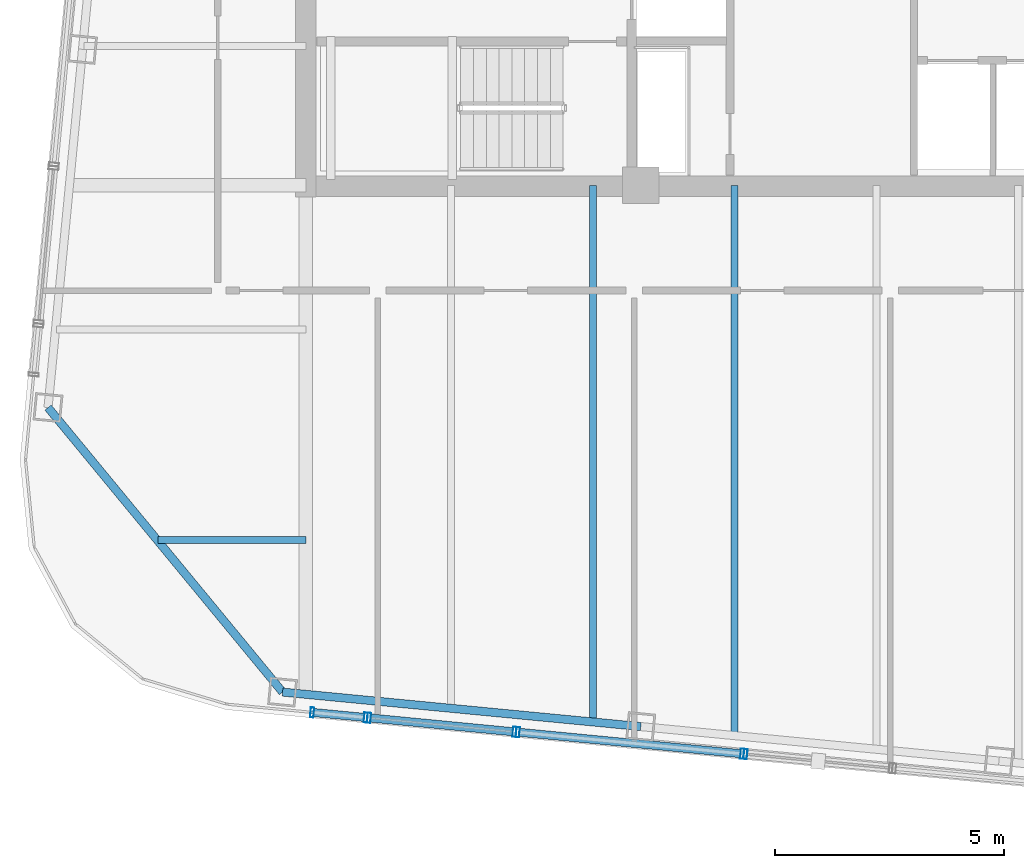
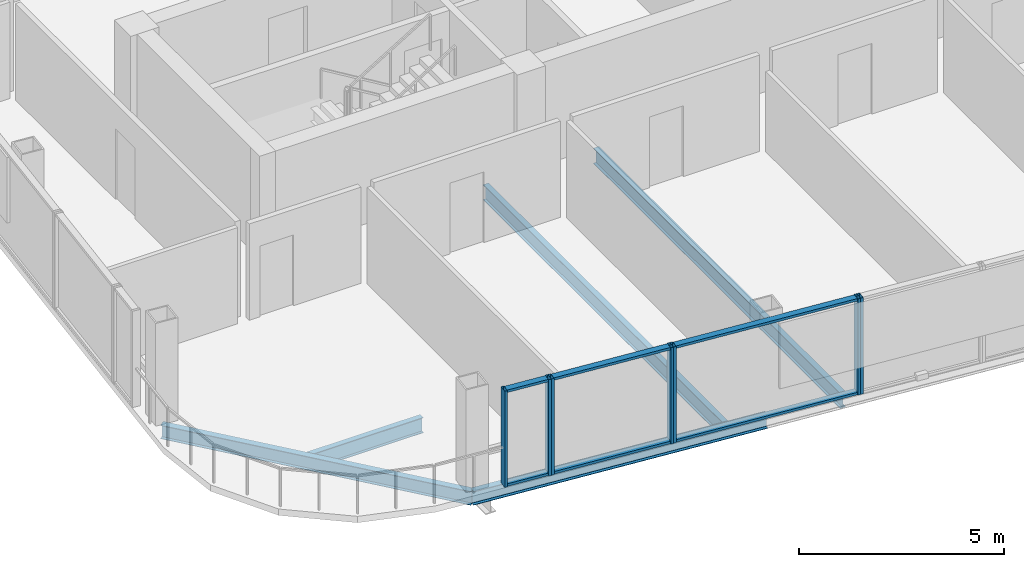
# One storey, part 2 of 27: 13 members, 5 beams, 4 elements without a shape of their own.
"""IFC4 building model written with IfcOpenShell, lengths in metres."""

from ifc_helpers import new_model, si_unit, direction, frame, origin, origin_2d, place, context, subcontext, project, spatial, hollow_rectangle, i_section, extrude, material, layer, layer_set, material_profile, profile_set, type_object, element, aggregate, save


model = new_model("IFC4")

# Units and contexts
model_context = context("Model", 3, precision=1e-05, world=origin(), true_north=direction((0.0, 1.0)))
body_context = subcontext(model_context, "Body", "Model", "MODEL_VIEW")
ifc_project = project(units=[si_unit("LENGTHUNIT", "METRE"), si_unit("AREAUNIT", "SQUARE_METRE"), si_unit("VOLUMEUNIT", "CUBIC_METRE"), si_unit("PLANEANGLEUNIT", "RADIAN"), si_unit("MASSUNIT", "GRAM", prefix="KILO")], contexts=[model_context])

# Site, building, storey
site_placement = place(None, origin())
site = spatial("IfcSite", under=ifc_project, at=site_placement, CompositionType="ELEMENT")
building_placement = place(site_placement, origin())
building = spatial("IfcBuilding", under=site, at=building_placement, Name="Qhalaya Broadcast Tower", CompositionType="ELEMENT")
storey_placement = place(building_placement, frame((0.0, 0.0, 258.10009765625)))
storey = spatial("IfcBuildingStorey", under=building, at=storey_placement, Name="L76", CompositionType="ELEMENT", Elevation=258.10009765625)

# Beams
ifc_material_1 = material(Name="Structural Steel ASTM A992 Grade 50", Category="steel")
ifc_material_profile_1 = material_profile(ifc_material_1, i_section(OverallWidth=0.154052734375, OverallDepth=0.458984375, WebThickness=0.009033203125, FlangeThickness=0.015380859375, at=origin_2d()), Name="W18X46")
ifc_profile_set_1 = profile_set([ifc_material_profile_1], Name="Structural Steel ASTM A992 Grade 50")
beam_type_1 = type_object("IfcBeamType", Name="Composite Floor Joist J04", PredefinedType="JOIST", material=ifc_profile_set_1)
beam_1_placement = place(storey_placement, frame((-3.10009765625, -20.46142578125, -0.419677734375), z_axis=(0.0, 1.0, 0.0), x_axis=(-1.0, 0.0, 0.0)))
element("IfcBeam", 1, at=beam_1_placement, inside=storey, type_object=beam_type_1, Name="L76 J04 L76-JNS2-1", PredefinedType="JOIST", context=body_context, shape_type="SweptSolid", body=[
    extrude(i_section(OverallWidth=0.154052734375, OverallDepth=0.458984375, WebThickness=0.009033203125, FlangeThickness=0.015380859375, at=origin_2d()), origin(), (0.0, 0.0, 1.0), 11.71142578125),
])
beam_2_placement = place(storey_placement, frame((0.0, -20.760009765625, -0.419677734375), z_axis=(0.0, 1.0, 0.0), x_axis=(-1.0, 0.0, 0.0)))
element("IfcBeam", 2, at=beam_2_placement, inside=storey, type_object=beam_type_1, Name="L76 J04 L76-JNS3-1", PredefinedType="JOIST", context=body_context, shape_type="SweptSolid", body=[
    extrude(i_section(OverallWidth=0.154052734375, OverallDepth=0.458984375, WebThickness=0.009033203125, FlangeThickness=0.015380859375, at=origin_2d()), origin(), (0.0, 0.0, 1.0), 12.010009765625),
])
beam_3_placement = place(storey_placement, frame((-12.600830078125, -16.5, -0.419677734375), z_axis=(1.0, 0.0, 0.0), x_axis=(0.0, 1.0, 0.0)))
element("IfcBeam", 3, at=beam_3_placement, inside=storey, type_object=beam_type_1, Name="L76 J04 L76-JWE1W-1", PredefinedType="JOIST", context=body_context, shape_type="SweptSolid", body=[
    extrude(i_section(OverallWidth=0.154052734375, OverallDepth=0.458984375, WebThickness=0.009033203125, FlangeThickness=0.015380859375, at=origin_2d()), origin(), (0.0, 0.0, 1.0), 3.225830078125),
])

# Curtain wall, members
ifc_material_2 = material(Name="Fired Architectural Terracotta", Category="masonry")
ifc_layer_1 = layer(ifc_material_2, 0.219970703125, Name="Fired Architectural Terracotta")
ifc_layer_set_1 = layer_set([ifc_layer_1], Name="Fired Architectural Terracotta")
curtain_wall_type_1 = type_object("IfcCurtainWallType", Name="Block-Cap Unitised Terracotta Spandrel Wall CW-07", PredefinedType="NOTDEFINED", material=ifc_layer_set_1)
curtain_wall_1_placement = place(storey_placement, origin())
curtain_wall_1 = element("IfcCurtainWall", 4, at=curtain_wall_1_placement, inside=storey, type_object=curtain_wall_type_1, Name="L76 Unitised Curtain Wall L76-CW-S1", PredefinedType="NOTDEFINED")
ifc_material_3 = material(Name="Anodised Aluminium 6063-T6", Category="aluminium")
ifc_material_profile_2 = material_profile(ifc_material_3, hollow_rectangle(XDim=0.074951171875, YDim=0.219970703125, WallThickness=0.00390625, at=origin_2d()), Name="ALU-MUL 75x220x4")
ifc_profile_set_2 = profile_set([ifc_material_profile_2], Name="Anodised Aluminium 6063-T6")
member_type_1 = type_object("IfcMemberType", Name="Unitised Curtain-Wall Mullion M01", PredefinedType="MULLION", material=ifc_profile_set_2)
member_1_placement = place(storey_placement, frame((-9.235107421875, -20.272705078125, 0.0), z_axis=(0.0, 0.0, 1.0), x_axis=(0.995396414656, -0.095843506251, 0.0)))
member_1 = element("IfcMember", 5, at=member_1_placement, type_object=member_type_1, Name="CW-07 mullion 1", PredefinedType="MULLION", context=body_context, shape_type="SweptSolid", body=[
    extrude(hollow_rectangle(XDim=0.074951171875, YDim=0.219970703125, WallThickness=0.00390625, at=origin_2d()), origin(), (0.0, 0.0, 1.0), 2.85986328125),
])
member_2_placement = place(storey_placement, frame((-8.0654296875, -20.38525390625, 0.0), z_axis=(0.0, 0.0, 1.0), x_axis=(0.995396414656, -0.095843506251, 0.0)))
member_2 = element("IfcMember", 6, at=member_2_placement, type_object=member_type_1, Name="CW-07 mullion 2", PredefinedType="MULLION", context=body_context, shape_type="SweptSolid", body=[
    extrude(hollow_rectangle(XDim=0.074951171875, YDim=0.219970703125, WallThickness=0.00390625, at=origin_2d()), origin(), (0.0, 0.0, 1.0), 2.85986328125),
])

ifc_material_4 = material(Name="Solar-Control Low-E Triple Glazing", Category="glass")
ifc_layer_2 = layer(ifc_material_4, 0.219970703125, Name="Solar-Control Low-E Triple Glazing")
ifc_layer_set_2 = layer_set([ifc_layer_2], Name="Solar-Control Low-E Triple Glazing")
curtain_wall_type_2 = type_object("IfcCurtainWallType", Name="High-Altitude Upper-Shaft Triple Low-E Curtain Wall CW-04", PredefinedType="NOTDEFINED", material=ifc_layer_set_2)
curtain_wall_2_placement = place(storey_placement, origin())
curtain_wall_2 = element("IfcCurtainWall", 7, at=curtain_wall_2_placement, inside=storey, type_object=curtain_wall_type_2, Name="L76 Unitised Curtain Wall L76-CW-S2", PredefinedType="NOTDEFINED")
member_3_placement = place(storey_placement, frame((-7.990966796875, -20.392333984375, 0.0), z_axis=(0.0, 0.0, 1.0), x_axis=(0.99539724102, -0.095834923543, 0.0)))
member_3 = element("IfcMember", 8, at=member_3_placement, type_object=member_type_1, Name="CW-04 mullion 1", PredefinedType="MULLION", context=body_context, shape_type="SweptSolid", body=[
    extrude(hollow_rectangle(XDim=0.074951171875, YDim=0.219970703125, WallThickness=0.00390625, at=origin_2d()), origin(), (0.0, 0.0, 1.0), 2.85986328125),
])
member_4_placement = place(storey_placement, frame((-4.814453125, -20.6982421875, 0.0), z_axis=(0.0, 0.0, 1.0), x_axis=(0.99539724102, -0.095834923543, 0.0)))
member_4 = element("IfcMember", 9, at=member_4_placement, type_object=member_type_1, Name="CW-04 mullion 2", PredefinedType="MULLION", context=body_context, shape_type="SweptSolid", body=[
    extrude(hollow_rectangle(XDim=0.074951171875, YDim=0.219970703125, WallThickness=0.00390625, at=origin_2d()), origin(), (0.0, 0.0, 1.0), 2.85986328125),
])

curtain_wall_3_placement = place(storey_placement, origin())
curtain_wall_3 = element("IfcCurtainWall", 10, at=curtain_wall_3_placement, inside=storey, type_object=curtain_wall_type_1, Name="L76 Unitised Curtain Wall L76-CW-S3", PredefinedType="NOTDEFINED")
member_5_placement = place(storey_placement, frame((-4.739990234375, -20.705322265625, 0.0), z_axis=(0.0, 0.0, 1.0), x_axis=(0.995394803391, -0.095860238798, 0.0)))
member_5 = element("IfcMember", 11, at=member_5_placement, type_object=member_type_1, Name="CW-07 mullion 1", PredefinedType="MULLION", context=body_context, shape_type="SweptSolid", body=[
    extrude(hollow_rectangle(XDim=0.074951171875, YDim=0.219970703125, WallThickness=0.00390625, at=origin_2d()), origin(), (0.0, 0.0, 1.0), 2.85986328125),
])
member_6_placement = place(storey_placement, frame((0.16357421875, -21.177490234375, 0.0), z_axis=(0.0, 0.0, 1.0), x_axis=(0.995394803391, -0.095860238798, 0.0)))
member_6 = element("IfcMember", 12, at=member_6_placement, type_object=member_type_1, Name="CW-07 mullion 2", PredefinedType="MULLION", context=body_context, shape_type="SweptSolid", body=[
    extrude(hollow_rectangle(XDim=0.074951171875, YDim=0.219970703125, WallThickness=0.00390625, at=origin_2d()), origin(), (0.0, 0.0, 1.0), 2.85986328125),
])

# Curtain wall, member
curtain_wall_4_placement = place(storey_placement, origin())
curtain_wall_4 = element("IfcCurtainWall", 13, at=curtain_wall_4_placement, inside=storey, type_object=curtain_wall_type_2, Name="L76 Unitised Curtain Wall L76-CW-S4", PredefinedType="NOTDEFINED")
member_7_placement = place(storey_placement, frame((0.238037109375, -21.184814453125, 0.0), z_axis=(0.0, 0.0, 1.0), x_axis=(0.995396959799, -0.095837844424, 0.0)))
member_7 = element("IfcMember", 14, at=member_7_placement, type_object=member_type_1, Name="CW-04 mullion 1", PredefinedType="MULLION", context=body_context, shape_type="SweptSolid", body=[
    extrude(hollow_rectangle(XDim=0.074951171875, YDim=0.219970703125, WallThickness=0.00390625, at=origin_2d()), origin(), (0.0, 0.0, 1.0), 2.85986328125),
])
aggregate(curtain_wall_4, [member_7])

# Member
ifc_material_profile_3 = material_profile(ifc_material_3, hollow_rectangle(XDim=0.074951171875, YDim=0.179931640625, WallThickness=0.00390625, at=origin_2d()), Name="ALU-TRN 75x180x4")
ifc_profile_set_3 = profile_set([ifc_material_profile_3], Name="Anodised Aluminium 6063-T6")
member_type_2 = type_object("IfcMemberType", Name="Unitised Curtain-Wall Transom T01", PredefinedType="USERDEFINED", material=ifc_profile_set_3)
member_8_placement = place(storey_placement, frame((-9.19775390625, -20.276123046875, 0.037353515625), z_axis=(0.995393156894, -0.095877334176, 0.0), x_axis=(0.0, 0.0, 1.0)))
member_8 = element("IfcMember", 15, at=member_8_placement, type_object=member_type_2, Name="CW-07 transom 1.1", ObjectType="TRANSOM", PredefinedType="USERDEFINED", context=body_context, shape_type="SweptSolid", body=[
    extrude(hollow_rectangle(XDim=0.074951171875, YDim=0.179931640625, WallThickness=0.00390625, at=origin_2d()), origin(), (0.0, 0.0, 1.0), 1.10009765625),
])

member_9_placement = place(storey_placement, frame((-9.19775390625, -20.276123046875, 2.822509765625), z_axis=(0.995393156894, -0.095877334176, 0.0), x_axis=(0.0, 0.0, 1.0)))
member_9 = element("IfcMember", 16, at=member_9_placement, type_object=member_type_2, Name="CW-07 transom 1.2", ObjectType="TRANSOM", PredefinedType="USERDEFINED", context=body_context, shape_type="SweptSolid", body=[
    extrude(hollow_rectangle(XDim=0.074951171875, YDim=0.179931640625, WallThickness=0.00390625, at=origin_2d()), origin(), (0.0, 0.0, 1.0), 1.10009765625),
])

aggregate(curtain_wall_1, [member_1, member_2, member_8, member_9])

member_10_placement = place(storey_placement, frame((-7.95361328125, -20.39599609375, 0.037353515625), z_axis=(0.995398831742, -0.095818399939, 0.0), x_axis=(0.0, 0.0, 1.0)))
member_10 = element("IfcMember", 17, at=member_10_placement, type_object=member_type_2, Name="CW-04 transom 1.1", ObjectType="TRANSOM", PredefinedType="USERDEFINED", context=body_context, shape_type="SweptSolid", body=[
    extrude(hollow_rectangle(XDim=0.074951171875, YDim=0.179931640625, WallThickness=0.00390625, at=origin_2d()), origin(), (0.0, 0.0, 1.0), 3.1162109375),
])

member_11_placement = place(storey_placement, frame((-7.95361328125, -20.39599609375, 2.822509765625), z_axis=(0.995398831742, -0.095818399939, 0.0), x_axis=(0.0, 0.0, 1.0)))
member_11 = element("IfcMember", 18, at=member_11_placement, type_object=member_type_2, Name="CW-04 transom 1.2", ObjectType="TRANSOM", PredefinedType="USERDEFINED", context=body_context, shape_type="SweptSolid", body=[
    extrude(hollow_rectangle(XDim=0.074951171875, YDim=0.179931640625, WallThickness=0.00390625, at=origin_2d()), origin(), (0.0, 0.0, 1.0), 3.1162109375),
])

aggregate(curtain_wall_2, [member_3, member_4, member_10, member_11])

member_12_placement = place(storey_placement, frame((-4.70263671875, -20.708984375, 0.037353515625), z_axis=(0.995393802609, -0.095870630162, 0.0), x_axis=(0.0, 0.0, 1.0)))
member_12 = element("IfcMember", 19, at=member_12_placement, type_object=member_type_2, Name="CW-07 transom 1.1", ObjectType="TRANSOM", PredefinedType="USERDEFINED", context=body_context, shape_type="SweptSolid", body=[
    extrude(hollow_rectangle(XDim=0.074951171875, YDim=0.179931640625, WallThickness=0.00390625, at=origin_2d()), origin(), (0.0, 0.0, 1.0), 4.851318359375),
])

member_13_placement = place(storey_placement, frame((-4.70263671875, -20.708984375, 2.822509765625), z_axis=(0.995393802609, -0.095870630162, 0.0), x_axis=(0.0, 0.0, 1.0)))
member_13 = element("IfcMember", 20, at=member_13_placement, type_object=member_type_2, Name="CW-07 transom 1.2", ObjectType="TRANSOM", PredefinedType="USERDEFINED", context=body_context, shape_type="SweptSolid", body=[
    extrude(hollow_rectangle(XDim=0.074951171875, YDim=0.179931640625, WallThickness=0.00390625, at=origin_2d()), origin(), (0.0, 0.0, 1.0), 4.851318359375),
])

aggregate(curtain_wall_3, [member_5, member_6, member_12, member_13])

# Beams
ifc_material_profile_4 = material_profile(ifc_material_1, i_section(OverallWidth=0.177978515625, OverallDepth=0.406005859375, WebThickness=0.0078125, FlangeThickness=0.0126953125, at=origin_2d()), Name="W16X40")
ifc_profile_set_4 = profile_set([ifc_material_profile_4], Name="Structural Steel ASTM A992 Grade 50")
beam_type_2 = type_object("IfcBeamType", Name="Upper Perimeter Spandrel Beam SP2", PredefinedType="SPANDREL", material=ifc_profile_set_4)
beam_4_placement = place(storey_placement, frame((-9.883056640625, -19.82861328125, -0.39306640625), z_axis=(0.995397308407, -0.095834223619, 0.0), x_axis=(0.095834223619, 0.995397308407, 0.0)))
element("IfcBeam", 21, at=beam_4_placement, inside=storey, type_object=beam_type_2, Name="L76 SP2 L76-SPR-01", PredefinedType="SPANDREL", context=body_context, shape_type="SweptSolid", body=[
    extrude(i_section(OverallWidth=0.177978515625, OverallDepth=0.406005859375, WebThickness=0.0078125, FlangeThickness=0.0126953125, at=origin_2d()), origin(), (0.0, 0.0, 1.0), 7.86669921875),
])
beam_5_placement = place(storey_placement, frame((-15.010498046875, -13.6083984375, -0.39306640625), z_axis=(0.636070241972, -0.771631160126, 0.0), x_axis=(0.771631160126, 0.636070241972, 0.0)))
element("IfcBeam", 22, at=beam_5_placement, inside=storey, type_object=beam_type_2, Name="L76 SP2 L76-SPR-16", PredefinedType="SPANDREL", context=body_context, shape_type="SweptSolid", body=[
    extrude(i_section(OverallWidth=0.177978515625, OverallDepth=0.406005859375, WebThickness=0.0078125, FlangeThickness=0.0126953125, at=origin_2d()), origin(), (0.0, 0.0, 1.0), 8.06103515625),
])

save(model, "model.ifc")
